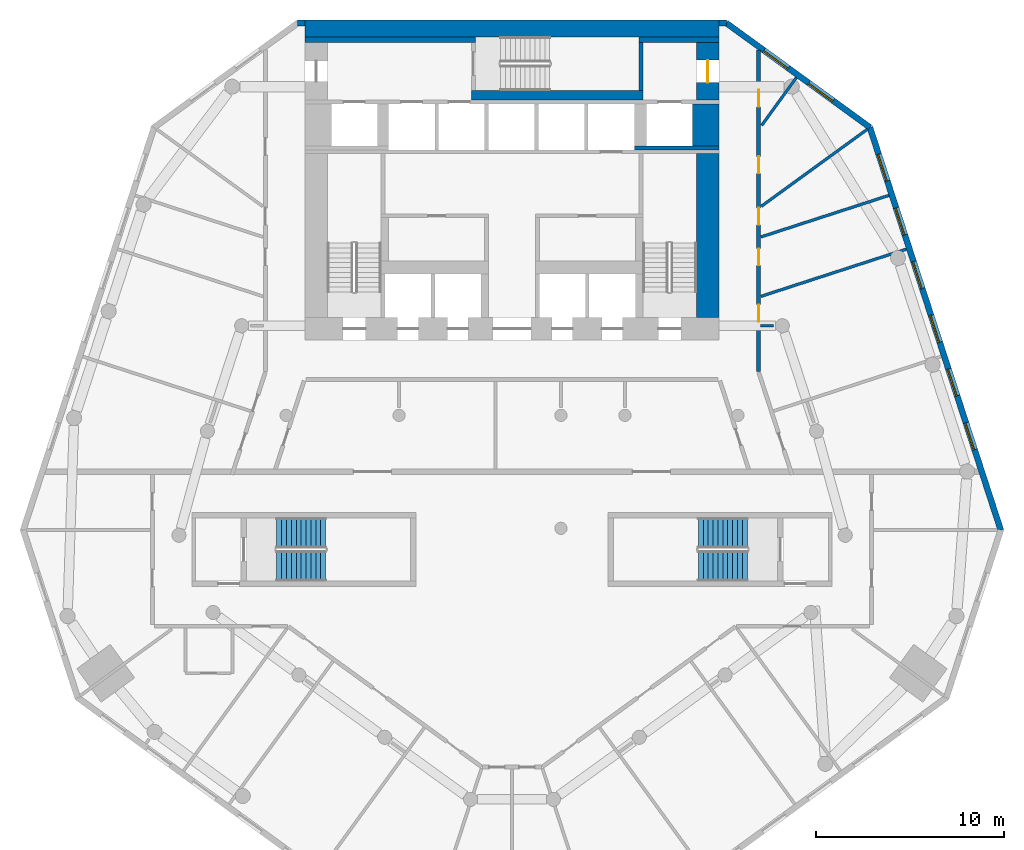
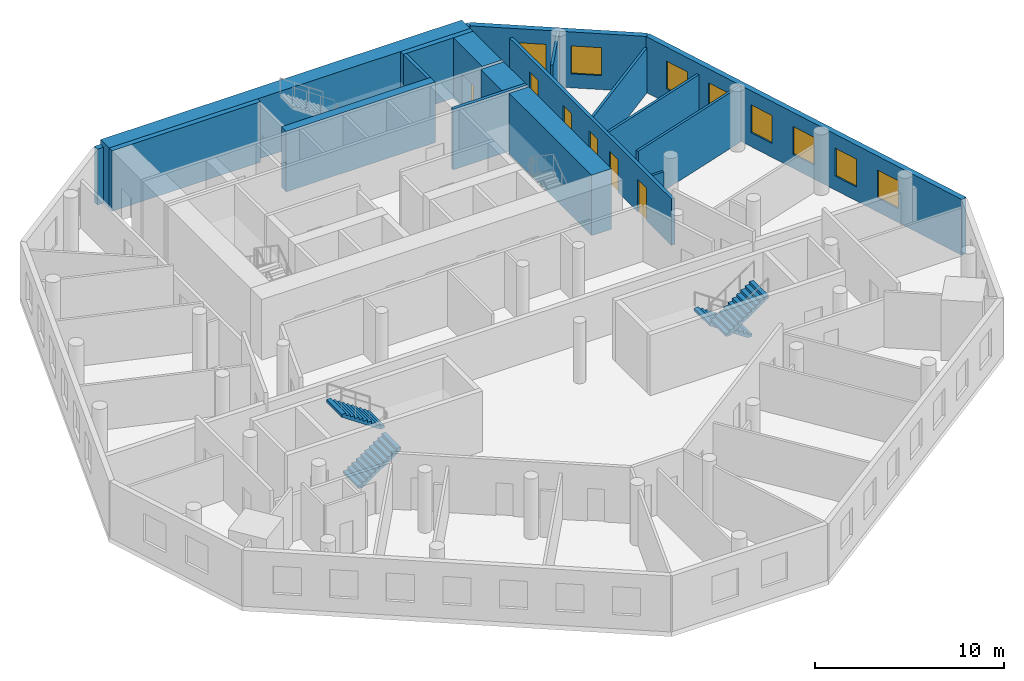
# One storey, part 6 of 9: 19 walls, 8 windows, 6 doors, 4 stair flights, 14 openings, 2 elements without a shape of their own.
"""IFC4 building model written with IfcOpenShell, lengths in metres."""

from ifc_helpers import new_model, si_unit, direction, frame, frame_2d, origin, place, context, subcontext, project, spatial, polyline, rectangle, outline, extrude, material, layer, layer_set, type_object, element, fill, aggregate, save


model = new_model("IFC4")

# Units and contexts
model_context = context("Model", 3, precision=1e-05, world=origin(), true_north=direction((0.0, 1.0)))
body_context = subcontext(model_context, "Body", "Model", "MODEL_VIEW")
ifc_project = project(units=[si_unit("LENGTHUNIT", "METRE"), si_unit("AREAUNIT", "SQUARE_METRE"), si_unit("VOLUMEUNIT", "CUBIC_METRE"), si_unit("PLANEANGLEUNIT", "RADIAN"), si_unit("MASSUNIT", "GRAM", prefix="KILO")], contexts=[model_context])

# Site, building, storey
site_placement = place(None, origin())
site = spatial("IfcSite", under=ifc_project, at=site_placement, CompositionType="ELEMENT")
building_placement = place(site_placement, origin())
building = spatial("IfcBuilding", under=site, at=building_placement, Name="White Candle Pilgrim Tower", CompositionType="ELEMENT")
storey_placement = place(building_placement, frame((0.0, 0.0, 70.199951171875)))
storey = spatial("IfcBuildingStorey", under=building, at=storey_placement, Name="L14", CompositionType="ELEMENT", Elevation=70.199951171875)

# Wall, opening, door
ifc_material_1 = material(Name="Concrete C70/85", Category="concrete")
ifc_layer_1 = layer(ifc_material_1, 1.199951171875)
ifc_layer_set_1 = layer_set([ifc_layer_1], Name="Core wall 1200 mm Concrete C70/85")
wall_type_1 = type_object("IfcWallType", Name="Core wall 1200 mm Concrete C70/85", PredefinedType="SHEAR", material=ifc_layer_set_1)
wall_1_placement = place(storey_placement, frame((80.39990234375, 83.75, 0.0), z_axis=(0.0, 0.0, 1.0), x_axis=(0.0, 1.0, 0.0)))
wall_1 = element("IfcWall", 1, at=wall_1_placement, inside=storey, type_object=wall_type_1, Name="WL-L14-C44", PredefinedType="SHEAR", context=body_context, shape_type="SweptSolid", body=[
    extrude(rectangle(XDim=3.050048828125, YDim=1.199951171875, at=frame_2d((1.52490234375, 0.0))), origin(), (0.0, 0.0, 1.0), 3.900146484375),
])
opening_1_placement = place(wall_1_placement, frame((0.925048828125, 0.0, 0.0)))
opening_1 = element("IfcOpeningElement", 2, at=opening_1_placement, cuts=wall_1, Name="Opening T04-006", PredefinedType="OPENING", context=body_context, shape_type="SweptSolid", body=[
    extrude(rectangle(XDim=1.199951171875, YDim=2.10009765625, at=frame_2d((0.60009765625, 1.050048828125))), frame((0.0, 0.60986328125, 0.0), z_axis=(0.0, -1.0, 0.0), x_axis=(1.0, 0.0, 0.0)), (0.0, 0.0, 1.0), 1.219970703125),
])
ifc_material_2 = material(Name="Steel door leaf", Category="steel")
door_type_1 = type_object("IfcDoorType", Name="Fire door 1200 x 2100 EI 30", OperationType="NOTDEFINED", PredefinedType="DOOR", material=ifc_material_2)
door_1_placement = place(opening_1_placement, origin())
door_1 = element("IfcDoor", 3, at=door_1_placement, inside=storey, type_object=door_type_1, Name="Door T04-006", OperationType="SINGLE_SWING_RIGHT", OverallHeight=2.10009765625, OverallWidth=1.199951171875, PredefinedType="DOOR", context=body_context, shape_type="SweptSolid", body=[
    extrude(rectangle(XDim=1.199951171875, YDim=2.10009765625, at=frame_2d((0.60009765625, 1.050048828125))), frame((0.0, 0.02490234375, 0.0), z_axis=(0.0, -1.0, 0.0), x_axis=(1.0, 0.0, 0.0)), (0.0, 0.0, 1.0), 0.050048828125),
])
fill(opening_1, door_1)

# Walls
ifc_layer_2 = layer(ifc_material_1, 1.39990234375)
ifc_layer_set_2 = layer_set([ifc_layer_2], Name="Core wall 1400 mm Concrete C70/85")
wall_type_2 = type_object("IfcWallType", Name="Core wall 1400 mm Concrete C70/85", PredefinedType="SHEAR", material=ifc_layer_set_2)
wall_2_placement = place(storey_placement, frame((80.300048828125, 81.300048828125, 0.0), z_axis=(0.0, 0.0, 1.0), x_axis=(0.0, 1.0, 0.0)))
element("IfcWall", 4, at=wall_2_placement, inside=storey, type_object=wall_type_2, Name="WL-L14-C40", PredefinedType="SHEAR", context=body_context, shape_type="SweptSolid", body=[
    extrude(rectangle(XDim=2.25, YDim=1.39990234375, at=frame_2d((1.125, 0.0))), origin(), (0.0, 0.0, 1.0), 3.900146484375),
])
ifc_layer_3 = layer(ifc_material_1, 0.199951171875)
ifc_layer_set_3 = layer_set([ifc_layer_3], Name="Core wall 200 mm Concrete C70/85")
wall_type_3 = type_object("IfcWallType", Name="Core wall 200 mm Concrete C70/85", PredefinedType="SHEAR", material=ifc_layer_set_3)
wall_3_placement = place(storey_placement, frame((76.5, 81.199951171875, 0.0), z_axis=(0.0, 0.0, 1.0), x_axis=(1.0, 0.0, 0.0)))
element("IfcWall", 5, at=wall_3_placement, inside=storey, type_object=wall_type_3, Name="WL-L14-C36", PredefinedType="SHEAR", context=body_context, shape_type="SweptSolid", body=[
    extrude(rectangle(XDim=4.5, YDim=0.199951171875, at=frame_2d((2.25, 0.0))), origin(), (0.0, 0.0, 1.0), 3.900146484375),
])

# Wall, openings, doors
ifc_material_3 = material(Name="Gypsum board on steel studs", Category="steel")
ifc_layer_4 = layer(ifc_material_3, 0.199951171875)
ifc_layer_set_4 = layer_set([ifc_layer_4], Name="Corridor wall 200 mm EI 45")
wall_type_4 = type_object("IfcWallType", Name="Corridor wall 200 mm EI 45", PredefinedType="PARTITIONING", material=ifc_layer_set_4)
wall_4_placement = place(storey_placement, frame((83.10009765625, 86.396240234375, 0.0), z_axis=(0.0, 0.0, 1.0), x_axis=(0.0, -1.0, 0.0)))
wall_4 = element("IfcWall", 6, at=wall_4_placement, inside=storey, type_object=wall_type_4, Name="WL-L14-P004", PredefinedType="PARTITIONING", context=body_context, shape_type="SweptSolid", body=[
    extrude(rectangle(XDim=17.0771484375, YDim=0.199951171875, at=frame_2d((8.53857421875, 0.0))), origin(), (0.0, 0.0, 1.0), 3.0),
])
opening_2_placement = place(wall_4_placement, frame((2.111572265625, 0.0, 0.0)))
opening_2 = element("IfcOpeningElement", 7, at=opening_2_placement, cuts=wall_4, Name="Opening T04-122", PredefinedType="OPENING", context=body_context, shape_type="SweptSolid", body=[
    extrude(rectangle(XDim=0.89990234375, YDim=2.10009765625, at=frame_2d((0.449951171875, 1.050048828125))), frame((0.0, 0.10986328125, 0.0), z_axis=(0.0, -1.0, 0.0), x_axis=(1.0, 0.0, 0.0)), (0.0, 0.0, 1.0), 0.219970703125),
])
opening_3_placement = place(wall_4_placement, frame((5.641357421875, 0.0, 0.0)))
opening_3 = element("IfcOpeningElement", 8, at=opening_3_placement, cuts=wall_4, Name="Opening T04-123", PredefinedType="OPENING", context=body_context, shape_type="SweptSolid", body=[
    extrude(rectangle(XDim=0.89990234375, YDim=2.10009765625, at=frame_2d((0.449951171875, 1.050048828125))), frame((0.0, 0.10986328125, 0.0), z_axis=(0.0, -1.0, 0.0), x_axis=(1.0, 0.0, 0.0)), (0.0, 0.0, 1.0), 0.219970703125),
])
opening_4_placement = place(wall_4_placement, frame((8.3798828125, 0.0, 0.0)))
opening_4 = element("IfcOpeningElement", 9, at=opening_4_placement, cuts=wall_4, Name="Opening T04-124", PredefinedType="OPENING", context=body_context, shape_type="SweptSolid", body=[
    extrude(rectangle(XDim=0.89990234375, YDim=2.10009765625, at=frame_2d((0.449951171875, 1.050048828125))), frame((0.0, 0.10986328125, 0.0), z_axis=(0.0, -1.0, 0.0), x_axis=(1.0, 0.0, 0.0)), (0.0, 0.0, 1.0), 0.219970703125),
])
opening_5_placement = place(wall_4_placement, frame((10.534423828125, 0.0, 0.0)))
opening_5 = element("IfcOpeningElement", 10, at=opening_5_placement, cuts=wall_4, Name="Opening T04-125", PredefinedType="OPENING", context=body_context, shape_type="SweptSolid", body=[
    extrude(rectangle(XDim=0.89990234375, YDim=2.10009765625, at=frame_2d((0.449951171875, 1.050048828125))), frame((0.0, 0.10986328125, 0.0), z_axis=(0.0, -1.0, 0.0), x_axis=(1.0, 0.0, 0.0)), (0.0, 0.0, 1.0), 0.219970703125),
])
opening_6_placement = place(wall_4_placement, frame((13.515380859375, 0.0, 0.0)))
opening_6 = element("IfcOpeningElement", 11, at=opening_6_placement, cuts=wall_4, Name="Opening T04-126", PredefinedType="OPENING", context=body_context, shape_type="SweptSolid", body=[
    extrude(rectangle(XDim=0.89990234375, YDim=2.10009765625, at=frame_2d((0.449951171875, 1.050048828125))), frame((0.0, 0.10986328125, 0.0), z_axis=(0.0, -1.0, 0.0), x_axis=(1.0, 0.0, 0.0)), (0.0, 0.0, 1.0), 0.219970703125),
])
door_type_2 = type_object("IfcDoorType", Name="Fire door 900 x 2100 EI 30", OperationType="NOTDEFINED", PredefinedType="DOOR", material=ifc_material_2)
door_2_placement = place(opening_2_placement, origin())
door_2 = element("IfcDoor", 12, at=door_2_placement, inside=storey, type_object=door_type_2, Name="Door T04-122", OperationType="SINGLE_SWING_RIGHT", OverallHeight=2.10009765625, OverallWidth=0.89990234375, PredefinedType="DOOR", context=body_context, shape_type="SweptSolid", body=[
    extrude(rectangle(XDim=0.89990234375, YDim=2.10009765625, at=frame_2d((0.449951171875, 1.050048828125))), frame((0.0, 0.02490234375, 0.0), z_axis=(0.0, -1.0, 0.0), x_axis=(1.0, 0.0, 0.0)), (0.0, 0.0, 1.0), 0.050048828125),
])
fill(opening_2, door_2)
door_3_placement = place(opening_3_placement, origin())
door_3 = element("IfcDoor", 13, at=door_3_placement, inside=storey, type_object=door_type_2, Name="Door T04-123", OperationType="SINGLE_SWING_LEFT", OverallHeight=2.10009765625, OverallWidth=0.89990234375, PredefinedType="DOOR", context=body_context, shape_type="SweptSolid", body=[
    extrude(rectangle(XDim=0.89990234375, YDim=2.10009765625, at=frame_2d((0.449951171875, 1.050048828125))), frame((0.0, 0.02490234375, 0.0), z_axis=(0.0, -1.0, 0.0), x_axis=(1.0, 0.0, 0.0)), (0.0, 0.0, 1.0), 0.050048828125),
])
fill(opening_3, door_3)
door_4_placement = place(opening_4_placement, origin())
door_4 = element("IfcDoor", 14, at=door_4_placement, inside=storey, type_object=door_type_2, Name="Door T04-124", OperationType="SINGLE_SWING_RIGHT", OverallHeight=2.10009765625, OverallWidth=0.89990234375, PredefinedType="DOOR", context=body_context, shape_type="SweptSolid", body=[
    extrude(rectangle(XDim=0.89990234375, YDim=2.10009765625, at=frame_2d((0.449951171875, 1.050048828125))), frame((0.0, 0.02490234375, 0.0), z_axis=(0.0, -1.0, 0.0), x_axis=(1.0, 0.0, 0.0)), (0.0, 0.0, 1.0), 0.050048828125),
])
fill(opening_4, door_4)
door_5_placement = place(opening_5_placement, origin())
door_5 = element("IfcDoor", 15, at=door_5_placement, inside=storey, type_object=door_type_2, Name="Door T04-125", OperationType="SINGLE_SWING_LEFT", OverallHeight=2.10009765625, OverallWidth=0.89990234375, PredefinedType="DOOR", context=body_context, shape_type="SweptSolid", body=[
    extrude(rectangle(XDim=0.89990234375, YDim=2.10009765625, at=frame_2d((0.449951171875, 1.050048828125))), frame((0.0, 0.02490234375, 0.0), z_axis=(0.0, -1.0, 0.0), x_axis=(1.0, 0.0, 0.0)), (0.0, 0.0, 1.0), 0.050048828125),
])
fill(opening_5, door_5)
door_6_placement = place(opening_6_placement, origin())
door_6 = element("IfcDoor", 16, at=door_6_placement, inside=storey, type_object=door_type_2, Name="Door T04-126", OperationType="SINGLE_SWING_LEFT", OverallHeight=2.10009765625, OverallWidth=0.89990234375, PredefinedType="DOOR", context=body_context, shape_type="SweptSolid", body=[
    extrude(rectangle(XDim=0.89990234375, YDim=2.10009765625, at=frame_2d((0.449951171875, 1.050048828125))), frame((0.0, 0.02490234375, 0.0), z_axis=(0.0, -1.0, 0.0), x_axis=(1.0, 0.0, 0.0)), (0.0, 0.0, 1.0), 0.050048828125),
])
fill(opening_6, door_6)

# Wall, openings, windows
ifc_material_4 = material(Name="Precast concrete C40/50", Category="concrete")
ifc_layer_5 = layer(ifc_material_4, 0.320068359375)
ifc_layer_set_5 = layer_set([ifc_layer_5], Name="Facade wall EW1 precast concrete C40/50 pier wall with timber-lined reveals")
wall_type_5 = type_object("IfcWallType", Name="Facade wall EW1 precast concrete C40/50 pier wall with timber-lined reveals", PredefinedType="SOLIDWALL", material=ifc_layer_set_5)
wall_5_placement = place(storey_placement, frame((95.96533203125, 60.903564453125, 0.0), z_axis=(0.0, 0.0, 1.0), x_axis=(-0.309016374519, 0.951056717698, 0.0)))
wall_5 = element("IfcWall", 17, at=wall_5_placement, inside=storey, type_object=wall_type_5, Name="Facade wall L14 ENE", PredefinedType="SOLIDWALL", context=body_context, shape_type="SweptSolid", body=[
    extrude(rectangle(XDim=22.49462890625, YDim=0.320068359375, at=frame_2d((11.247314453125, 0.0))), origin(), (0.0, 0.0, 1.0), 3.60009765625),
])
opening_7_placement = place(wall_5_placement, frame((4.497314453125, 0.0, 0.89990234375)))
opening_7 = element("IfcOpeningElement", 18, at=opening_7_placement, cuts=wall_5, Name="Opening W1", PredefinedType="OPENING", context=body_context, shape_type="SweptSolid", body=[
    extrude(rectangle(XDim=1.5, YDim=1.800048828125, at=frame_2d((0.75, 0.89990234375))), frame((0.0, 0.169921875, 0.0), z_axis=(0.0, -1.0, 0.0), x_axis=(1.0, 0.0, 0.0)), (0.0, 0.0, 1.0), 0.340087890625),
])
opening_8_placement = place(wall_5_placement, frame((7.497314453125, 0.0, 0.89990234375)))
opening_8 = element("IfcOpeningElement", 19, at=opening_8_placement, cuts=wall_5, Name="Opening W1", PredefinedType="OPENING", context=body_context, shape_type="SweptSolid", body=[
    extrude(rectangle(XDim=1.5, YDim=1.800048828125, at=frame_2d((0.75, 0.89990234375))), frame((0.0, 0.169921875, 0.0), z_axis=(0.0, -1.0, 0.0), x_axis=(1.0, 0.0, 0.0)), (0.0, 0.0, 1.0), 0.340087890625),
])
opening_9_placement = place(wall_5_placement, frame((10.497314453125, 0.0, 0.89990234375)))
opening_9 = element("IfcOpeningElement", 20, at=opening_9_placement, cuts=wall_5, Name="Opening W1", PredefinedType="OPENING", context=body_context, shape_type="SweptSolid", body=[
    extrude(rectangle(XDim=1.5, YDim=1.800048828125, at=frame_2d((0.75, 0.89990234375))), frame((0.0, 0.169921875, 0.0), z_axis=(0.0, -1.0, 0.0), x_axis=(1.0, 0.0, 0.0)), (0.0, 0.0, 1.0), 0.340087890625),
])
opening_10_placement = place(wall_5_placement, frame((13.497314453125, 0.0, 0.89990234375)))
opening_10 = element("IfcOpeningElement", 21, at=opening_10_placement, cuts=wall_5, Name="Opening W1", PredefinedType="OPENING", context=body_context, shape_type="SweptSolid", body=[
    extrude(rectangle(XDim=1.5, YDim=1.800048828125, at=frame_2d((0.75, 0.89990234375))), frame((0.0, 0.169921875, 0.0), z_axis=(0.0, -1.0, 0.0), x_axis=(1.0, 0.0, 0.0)), (0.0, 0.0, 1.0), 0.340087890625),
])
opening_11_placement = place(wall_5_placement, frame((16.497314453125, 0.0, 0.89990234375)))
opening_11 = element("IfcOpeningElement", 22, at=opening_11_placement, cuts=wall_5, Name="Opening W1", PredefinedType="OPENING", context=body_context, shape_type="SweptSolid", body=[
    extrude(rectangle(XDim=1.5, YDim=1.800048828125, at=frame_2d((0.75, 0.89990234375))), frame((0.0, 0.169921875, 0.0), z_axis=(0.0, -1.0, 0.0), x_axis=(1.0, 0.0, 0.0)), (0.0, 0.0, 1.0), 0.340087890625),
])
opening_12_placement = place(wall_5_placement, frame((19.497314453125, 0.0, 0.89990234375)))
opening_12 = element("IfcOpeningElement", 23, at=opening_12_placement, cuts=wall_5, Name="Opening W1", PredefinedType="OPENING", context=body_context, shape_type="SweptSolid", body=[
    extrude(rectangle(XDim=1.5, YDim=1.800048828125, at=frame_2d((0.75, 0.89990234375))), frame((0.0, 0.169921875, 0.0), z_axis=(0.0, -1.0, 0.0), x_axis=(1.0, 0.0, 0.0)), (0.0, 0.0, 1.0), 0.340087890625),
])
ifc_material_5 = material(Name="Timber frame with triple glazing", Category="wood")
window_type_1 = type_object("IfcWindowType", Name="Window W1 1500x1800 timber frame triple glazing", PartitioningType="SINGLE_PANEL", PredefinedType="WINDOW", material=ifc_material_5)
window_1_placement = place(opening_7_placement, origin())
window_1 = element("IfcWindow", 24, at=window_1_placement, inside=storey, type_object=window_type_1, Name="Window W1 L14 ENE 2", OverallHeight=1.800048828125, OverallWidth=1.5, PartitioningType="SINGLE_PANEL", PredefinedType="WINDOW", context=body_context, shape_type="SweptSolid", body=[
    extrude(rectangle(XDim=1.5, YDim=1.800048828125, at=frame_2d((0.75, 0.89990234375))), frame((0.0, 0.070068359375, 0.0), z_axis=(0.0, -1.0, 0.0), x_axis=(1.0, 0.0, 0.0)), (0.0, 0.0, 1.0), 0.06005859375),
])
fill(opening_7, window_1)
window_2_placement = place(opening_8_placement, origin())
window_2 = element("IfcWindow", 25, at=window_2_placement, inside=storey, type_object=window_type_1, Name="Window W1 L14 ENE 3", OverallHeight=1.800048828125, OverallWidth=1.5, PartitioningType="SINGLE_PANEL", PredefinedType="WINDOW", context=body_context, shape_type="SweptSolid", body=[
    extrude(rectangle(XDim=1.5, YDim=1.800048828125, at=frame_2d((0.75, 0.89990234375))), frame((0.0, 0.070068359375, 0.0), z_axis=(0.0, -1.0, 0.0), x_axis=(1.0, 0.0, 0.0)), (0.0, 0.0, 1.0), 0.06005859375),
])
fill(opening_8, window_2)
window_3_placement = place(opening_9_placement, origin())
window_3 = element("IfcWindow", 26, at=window_3_placement, inside=storey, type_object=window_type_1, Name="Window W1 L14 ENE 4", OverallHeight=1.800048828125, OverallWidth=1.5, PartitioningType="SINGLE_PANEL", PredefinedType="WINDOW", context=body_context, shape_type="SweptSolid", body=[
    extrude(rectangle(XDim=1.5, YDim=1.800048828125, at=frame_2d((0.75, 0.89990234375))), frame((0.0, 0.070068359375, 0.0), z_axis=(0.0, -1.0, 0.0), x_axis=(1.0, 0.0, 0.0)), (0.0, 0.0, 1.0), 0.06005859375),
])
fill(opening_9, window_3)
window_4_placement = place(opening_10_placement, origin())
window_4 = element("IfcWindow", 27, at=window_4_placement, inside=storey, type_object=window_type_1, Name="Window W1 L14 ENE 5", OverallHeight=1.800048828125, OverallWidth=1.5, PartitioningType="SINGLE_PANEL", PredefinedType="WINDOW", context=body_context, shape_type="SweptSolid", body=[
    extrude(rectangle(XDim=1.5, YDim=1.800048828125, at=frame_2d((0.75, 0.89990234375))), frame((0.0, 0.070068359375, 0.0), z_axis=(0.0, -1.0, 0.0), x_axis=(1.0, 0.0, 0.0)), (0.0, 0.0, 1.0), 0.06005859375),
])
fill(opening_10, window_4)
window_5_placement = place(opening_11_placement, origin())
window_5 = element("IfcWindow", 28, at=window_5_placement, inside=storey, type_object=window_type_1, Name="Window W1 L14 ENE 6", OverallHeight=1.800048828125, OverallWidth=1.5, PartitioningType="SINGLE_PANEL", PredefinedType="WINDOW", context=body_context, shape_type="SweptSolid", body=[
    extrude(rectangle(XDim=1.5, YDim=1.800048828125, at=frame_2d((0.75, 0.89990234375))), frame((0.0, 0.070068359375, 0.0), z_axis=(0.0, -1.0, 0.0), x_axis=(1.0, 0.0, 0.0)), (0.0, 0.0, 1.0), 0.06005859375),
])
fill(opening_11, window_5)
window_6_placement = place(opening_12_placement, origin())
window_6 = element("IfcWindow", 29, at=window_6_placement, inside=storey, type_object=window_type_1, Name="Window W1 L14 ENE 7", OverallHeight=1.800048828125, OverallWidth=1.5, PartitioningType="SINGLE_PANEL", PredefinedType="WINDOW", context=body_context, shape_type="SweptSolid", body=[
    extrude(rectangle(XDim=1.5, YDim=1.800048828125, at=frame_2d((0.75, 0.89990234375))), frame((0.0, 0.070068359375, 0.0), z_axis=(0.0, -1.0, 0.0), x_axis=(1.0, 0.0, 0.0)), (0.0, 0.0, 1.0), 0.06005859375),
])
fill(opening_12, window_6)

wall_6_placement = place(storey_placement, frame((89.01416015625, 82.297119140625, 0.0), z_axis=(0.0, 0.0, 1.0), x_axis=(-0.809013639072, 0.587789870443, 0.0)))
wall_6 = element("IfcWall", 30, at=wall_6_placement, inside=storey, type_object=wall_type_5, Name="Facade wall L14 NE chamfer", PredefinedType="SOLIDWALL", context=body_context, shape_type="SweptSolid", body=[
    extrude(rectangle(XDim=9.43017578125, YDim=0.320068359375, at=frame_2d((4.715087890625, 0.0))), origin(), (0.0, 0.0, 1.0), 3.60009765625),
])
opening_13_placement = place(wall_6_placement, frame((2.4150390625, 0.0, 0.89990234375)))
opening_13 = element("IfcOpeningElement", 31, at=opening_13_placement, cuts=wall_6, Name="Opening W2", PredefinedType="OPENING", context=body_context, shape_type="SweptSolid", body=[
    extrude(rectangle(XDim=1.60009765625, YDim=1.800048828125, at=frame_2d((0.800048828125, 0.89990234375))), frame((0.0, 0.169921875, 0.0), z_axis=(0.0, -1.0, 0.0), x_axis=(1.0, 0.0, 0.0)), (0.0, 0.0, 1.0), 0.340087890625),
])
opening_14_placement = place(wall_6_placement, frame((5.364990234375, 0.0, 0.89990234375)))
opening_14 = element("IfcOpeningElement", 32, at=opening_14_placement, cuts=wall_6, Name="Opening W2", PredefinedType="OPENING", context=body_context, shape_type="SweptSolid", body=[
    extrude(rectangle(XDim=1.60009765625, YDim=1.800048828125, at=frame_2d((0.800048828125, 0.89990234375))), frame((0.0, 0.169921875, 0.0), z_axis=(0.0, -1.0, 0.0), x_axis=(1.0, 0.0, 0.0)), (0.0, 0.0, 1.0), 0.340087890625),
])
window_type_2 = type_object("IfcWindowType", Name="Window W2 1600x1800 timber frame triple glazing", PartitioningType="SINGLE_PANEL", PredefinedType="WINDOW", material=ifc_material_5)
window_7_placement = place(opening_13_placement, origin())
window_7 = element("IfcWindow", 33, at=window_7_placement, inside=storey, type_object=window_type_2, Name="Window W2 L14 NE chamfer 1", OverallHeight=1.800048828125, OverallWidth=1.60009765625, PartitioningType="SINGLE_PANEL", PredefinedType="WINDOW", context=body_context, shape_type="SweptSolid", body=[
    extrude(rectangle(XDim=1.60009765625, YDim=1.800048828125, at=frame_2d((0.800048828125, 0.89990234375))), frame((0.0, 0.070068359375, 0.0), z_axis=(0.0, -1.0, 0.0), x_axis=(1.0, 0.0, 0.0)), (0.0, 0.0, 1.0), 0.06005859375),
])
fill(opening_13, window_7)
window_8_placement = place(opening_14_placement, origin())
window_8 = element("IfcWindow", 34, at=window_8_placement, inside=storey, type_object=window_type_2, Name="Window W2 L14 NE chamfer 2", OverallHeight=1.800048828125, OverallWidth=1.60009765625, PartitioningType="SINGLE_PANEL", PredefinedType="WINDOW", context=body_context, shape_type="SweptSolid", body=[
    extrude(rectangle(XDim=1.60009765625, YDim=1.800048828125, at=frame_2d((0.800048828125, 0.89990234375))), frame((0.0, 0.070068359375, 0.0), z_axis=(0.0, -1.0, 0.0), x_axis=(1.0, 0.0, 0.0)), (0.0, 0.0, 1.0), 0.06005859375),
])
fill(opening_14, window_8)

# Walls
for number, where, z_axis, x_axis, name in (
    (35, (81.385009765625, 87.840087890625, 0.0), (0.0, 0.0, 1.0), (-1.0, 0.0, 0.0), "Facade wall L14 N"),
    (36, (59.0, 87.840087890625, 0.0), (0.0, 0.0, 1.0), (-1.0, 0.0, 0.0), "Facade wall L14 N"),
):
    element("IfcWall", number, at=place(storey_placement, frame(where, z_axis=z_axis, x_axis=x_axis)), inside=storey, type_object=wall_type_5, Name=name, PredefinedType="SOLIDWALL", context=body_context, shape_type="SweptSolid", body=[
        extrude(rectangle(XDim=0.385009765625, YDim=0.320068359375, at=frame_2d((0.1923828125, 0.0))), origin(), (0.0, 0.0, 1.0), 3.60009765625),
    ])
ifc_layer_6 = layer(ifc_material_3, 0.14990234375)
ifc_layer_set_6 = layer_set([ifc_layer_6], Name="Partition 150 mm EI 60")
wall_type_6 = type_object("IfcWallType", Name="Partition 150 mm EI 60", PredefinedType="PARTITIONING", material=ifc_layer_set_6)
wall_7_placement = place(storey_placement, frame((88.8779296875, 82.1982421875, 0.0), z_axis=(0.0, 0.0, 1.0), x_axis=(-0.809011915856, -0.58779224221, 0.0)))
element("IfcWall", 37, at=wall_7_placement, inside=storey, type_object=wall_type_6, Name="WL-L14-P023", PredefinedType="PARTITIONING", context=body_context, shape_type="SweptSolid", body=[
    extrude(rectangle(XDim=6.9638671875, YDim=0.14990234375, at=frame_2d((3.48193359375, 0.0))), origin(), (0.0, 0.0, 1.0), 2.900146484375),
])
wall_8_placement = place(storey_placement, frame((90.947021484375, 75.830810546875, 0.0), z_axis=(0.0, 0.0, 1.0), x_axis=(-0.951051961222, -0.309031013097, 0.0)))
element("IfcWall", 38, at=wall_8_placement, inside=storey, type_object=wall_type_6, Name="WL-L14-P038", PredefinedType="PARTITIONING", context=body_context, shape_type="SweptSolid", body=[
    extrude(rectangle(XDim=8.121337890625, YDim=0.14990234375, at=frame_2d((4.060546875, 0.0))), origin(), (0.0, 0.0, 1.0), 3.60009765625),
])
wall_9_placement = place(storey_placement, frame((90.02001953125, 78.683837890625, 0.0), z_axis=(0.0, 0.0, 1.0), x_axis=(-0.951064189929, -0.308993376362, 0.0)))
element("IfcWall", 39, at=wall_9_placement, inside=storey, type_object=wall_type_6, Name="WL-L14-P039", PredefinedType="PARTITIONING", context=body_context, shape_type="SweptSolid", body=[
    extrude(rectangle(XDim=7.146484375, YDim=0.14990234375, at=frame_2d((3.5732421875, 0.0))), origin(), (0.0, 0.0, 1.0), 2.900146484375),
])
wall_10_placement = place(storey_placement, frame((85.10546875, 84.939208984375, 0.0), z_axis=(0.0, 0.0, 1.0), x_axis=(-0.587746109375, -0.809045431923, 0.0)))
element("IfcWall", 40, at=wall_10_placement, inside=storey, type_object=wall_type_6, Name="WL-L14-P040", PredefinedType="PARTITIONING", context=body_context, shape_type="SweptSolid", body=[
    extrude(rectangle(XDim=3.138671875, YDim=0.14990234375, at=frame_2d((1.5693359375, 0.0))), origin(), (0.0, 0.0, 1.0), 3.60009765625),
])
wall_11_placement = place(storey_placement, frame((83.89501953125, 71.7578125, 0.0), z_axis=(0.0, 0.0, 1.0), x_axis=(-1.0, 0.0, 0.0)))
element("IfcWall", 41, at=wall_11_placement, inside=storey, type_object=wall_type_6, Name="WL-L14-P048", PredefinedType="PARTITIONING", context=body_context, shape_type="SweptSolid", body=[
    extrude(rectangle(XDim=0.695068359375, YDim=0.14990234375, at=frame_2d((0.34765625, 0.0))), origin(), (0.0, 0.0, 1.0), 3.0),
])
ifc_layer_7 = layer(ifc_material_1, 1.199951171875)
ifc_layer_set_7 = layer_set([ifc_layer_7], Name="Stair shaft wall 1200 mm Concrete C70/85")
wall_type_7 = type_object("IfcWallType", Name="Stair shaft wall 1200 mm Concrete C70/85", PredefinedType="SHEAR", material=ifc_layer_set_7)
wall_12_placement = place(storey_placement, frame((80.39990234375, 72.199951171875, 0.0), z_axis=(0.0, 0.0, 1.0), x_axis=(0.0, 1.0, 0.0)))
element("IfcWall", 42, at=wall_12_placement, inside=storey, type_object=wall_type_7, Name="WL-L14-C19", PredefinedType="SHEAR", context=body_context, shape_type="SweptSolid", body=[
    extrude(rectangle(XDim=8.699951171875, YDim=1.199951171875, at=frame_2d((4.35009765625, 0.0))), origin(), (0.0, 0.0, 1.0), 3.900146484375),
])
ifc_layer_8 = layer(ifc_material_1, 0.199951171875)
ifc_layer_set_8 = layer_set([ifc_layer_8], Name="Stair shaft wall 200 mm Concrete C70/85")
wall_type_8 = type_object("IfcWallType", Name="Stair shaft wall 200 mm Concrete C70/85", PredefinedType="SHEAR", material=ifc_layer_set_8)
wall_13_placement = place(storey_placement, frame((76.85009765625, 84.25, 0.0), z_axis=(0.0, 0.0, 1.0), x_axis=(0.0, 1.0, 0.0)))
element("IfcWall", 43, at=wall_13_placement, inside=storey, type_object=wall_type_8, Name="WL-L14-C46", PredefinedType="SHEAR", context=body_context, shape_type="SweptSolid", body=[
    extrude(rectangle(XDim=2.550048828125, YDim=0.199951171875, at=frame_2d((1.27490234375, 0.0))), origin(), (0.0, 0.0, 1.0), 3.900146484375),
])
ifc_layer_9 = layer(ifc_material_1, 0.300048828125)
ifc_layer_set_9 = layer_set([ifc_layer_9], Name="Stair shaft wall 300 mm Concrete C70/85")
wall_type_9 = type_object("IfcWallType", Name="Stair shaft wall 300 mm Concrete C70/85", PredefinedType="SHEAR", material=ifc_layer_set_9)
wall_14_placement = place(storey_placement, frame((59.0, 86.949951171875, 0.0), z_axis=(0.0, 0.0, 1.0), x_axis=(1.0, 0.0, 0.0)))
element("IfcWall", 44, at=wall_14_placement, inside=storey, type_object=wall_type_9, Name="WL-L14-C47", PredefinedType="SHEAR", context=body_context, shape_type="SweptSolid", body=[
    extrude(rectangle(XDim=9.050048828125, YDim=0.300048828125, at=frame_2d((4.52490234375, 0.0))), origin(), (0.0, 0.0, 1.0), 3.900146484375),
])
wall_15_placement = place(storey_placement, frame((76.75, 86.949951171875, 0.0), z_axis=(0.0, 0.0, 1.0), x_axis=(1.0, 0.0, 0.0)))
element("IfcWall", 45, at=wall_15_placement, inside=storey, type_object=wall_type_9, Name="WL-L14-C48", PredefinedType="SHEAR", context=body_context, shape_type="SweptSolid", body=[
    extrude(rectangle(XDim=4.25, YDim=0.300048828125, at=frame_2d((2.125, 0.0))), origin(), (0.0, 0.0, 1.0), 3.900146484375),
])
ifc_layer_10 = layer(ifc_material_1, 0.5)
ifc_layer_set_10 = layer_set([ifc_layer_10], Name="Stair shaft wall 500 mm Concrete C70/85")
wall_type_10 = type_object("IfcWallType", Name="Stair shaft wall 500 mm Concrete C70/85", PredefinedType="SHEAR", material=ifc_layer_set_10)
wall_16_placement = place(storey_placement, frame((67.85009765625, 84.0, 0.0), z_axis=(0.0, 0.0, 1.0), x_axis=(1.0, 0.0, 0.0)))
element("IfcWall", 46, at=wall_16_placement, inside=storey, type_object=wall_type_10, Name="WL-L14-C43", PredefinedType="SHEAR", context=body_context, shape_type="SweptSolid", body=[
    extrude(rectangle(XDim=9.099853515625, YDim=0.5, at=frame_2d((4.5498046875, 0.0))), origin(), (0.0, 0.0, 1.0), 3.900146484375),
])
ifc_layer_11 = layer(ifc_material_1, 0.89990234375)
ifc_layer_set_11 = layer_set([ifc_layer_11], Name="Stair shaft wall 900 mm Concrete C70/85")
wall_type_11 = type_object("IfcWallType", Name="Stair shaft wall 900 mm Concrete C70/85", PredefinedType="SHEAR", material=ifc_layer_set_11)
wall_17_placement = place(storey_placement, frame((59.0, 87.550048828125, 0.0), z_axis=(0.0, 0.0, 1.0), x_axis=(1.0, 0.0, 0.0)))
element("IfcWall", 47, at=wall_17_placement, inside=storey, type_object=wall_type_11, Name="WL-L14-C49", PredefinedType="SHEAR", context=body_context, shape_type="SweptSolid", body=[
    extrude(rectangle(XDim=22.0, YDim=0.89990234375, at=frame_2d((11.0, 0.0))), origin(), (0.0, 0.0, 1.0), 3.900146484375),
])

# Stair, stair flights
ifc_material_6 = material(Name="Concrete C40/50", Category="concrete")
stair_type_1 = type_object("IfcStairType", Name="Exit stair 4 flight width 1600 mm", PredefinedType="HALF_TURN_STAIR", material=ifc_material_6)
stair_1_placement = place(storey_placement, origin())
stair_1 = element("IfcStair", 48, at=stair_1_placement, inside=storey, type_object=stair_type_1, Name="L14 stair 4", PredefinedType="NOTDEFINED")
ifc_layer_12 = layer(ifc_material_6, 0.14990234375)
ifc_layer_set_12 = layer_set([ifc_layer_12], Name="Stair flight Concrete C40/50")
stair_flight_type = type_object("IfcStairFlightType", Name="Stair flight Concrete C40/50", PredefinedType="STRAIGHT", material=ifc_layer_set_12)
stair_flight_1_placement = place(storey_placement, frame((82.5, 60.75, 0.0), z_axis=(0.0, 0.0, 1.0), x_axis=(-1.0, 0.0, 0.0)))
stair_flight_1 = element("IfcStairFlight", 49, at=stair_flight_1_placement, type_object=stair_flight_type, Name="ST4 flight 1", NumberOfRisers=11, NumberOfTreads=10, PredefinedType="NOTDEFINED", RiserHeight=0.177272727, TreadLength=0.26, context=body_context, shape_type="SweptSolid", body=[
    extrude(outline(polyline([(0.0, 0.0), (0.0, 0.17724609375), (0.260009765625, 0.17724609375), (0.260009765625, 0.3544921875), (0.52001953125, 0.3544921875), (0.52001953125, 0.53173828125), (0.780029296875, 0.53173828125), (0.780029296875, 0.708984375), (1.0400390625, 0.708984375), (1.0400390625, 0.886474609375), (1.300048828125, 0.886474609375), (1.300048828125, 1.063720703125), (1.56005859375, 1.063720703125), (1.56005859375, 1.240966796875), (1.820068359375, 1.240966796875), (1.820068359375, 1.418212890625), (2.080078125, 1.418212890625), (2.080078125, 1.595458984375), (2.340087890625, 1.595458984375), (2.340087890625, 1.772705078125), (2.60009765625, 1.772705078125), (2.60009765625, 1.949951171875), (2.60009765625, 1.59130859375), (0.26611328125, 0.0), (0.0, 0.0)])), frame((0.0, 0.800048828125, 0.0), z_axis=(0.0, -1.0, 0.0), x_axis=(1.0, 0.0, 0.0)), (0.0, 0.0, 1.0), 1.60009765625),
])
stair_flight_2_placement = place(storey_placement, frame((79.89990234375, 59.0, 1.949951171875), z_axis=(0.0, 0.0, 1.0), x_axis=(1.0, 0.0, 0.0)))
stair_flight_2 = element("IfcStairFlight", 50, at=stair_flight_2_placement, type_object=stair_flight_type, Name="ST4 flight 2", NumberOfRisers=11, NumberOfTreads=10, PredefinedType="NOTDEFINED", RiserHeight=0.177272727, TreadLength=0.26, context=body_context, shape_type="SweptSolid", body=[
    extrude(outline(polyline([(0.0, 0.0), (0.0, 0.17724609375), (0.260009765625, 0.17724609375), (0.260009765625, 0.3544921875), (0.52001953125, 0.3544921875), (0.52001953125, 0.53173828125), (0.780029296875, 0.53173828125), (0.780029296875, 0.708984375), (1.0400390625, 0.708984375), (1.0400390625, 0.886474609375), (1.300048828125, 0.886474609375), (1.300048828125, 1.063720703125), (1.56005859375, 1.063720703125), (1.56005859375, 1.240966796875), (1.820068359375, 1.240966796875), (1.820068359375, 1.418212890625), (2.080078125, 1.418212890625), (2.080078125, 1.595458984375), (2.340087890625, 1.595458984375), (2.340087890625, 1.772705078125), (2.60009765625, 1.772705078125), (2.60009765625, 1.949951171875), (2.60009765625, 1.59130859375), (0.26611328125, 0.0), (0.0, 0.0)])), frame((0.0, 0.800048828125, 0.0), z_axis=(0.0, -1.0, 0.0), x_axis=(1.0, 0.0, 0.0)), (0.0, 0.0, 1.0), 1.60009765625),
])
aggregate(stair_1, [stair_flight_1, stair_flight_2])

stair_type_2 = type_object("IfcStairType", Name="Exit stair 5 flight width 1600 mm", PredefinedType="HALF_TURN_STAIR", material=ifc_material_6)
stair_2_placement = place(storey_placement, origin())
stair_2 = element("IfcStair", 51, at=stair_2_placement, inside=storey, type_object=stair_type_2, Name="L14 stair 5", PredefinedType="NOTDEFINED")
stair_flight_3_placement = place(storey_placement, frame((57.5, 59.0, 0.0), z_axis=(0.0, 0.0, 1.0), x_axis=(1.0, 0.0, 0.0)))
stair_flight_3 = element("IfcStairFlight", 52, at=stair_flight_3_placement, type_object=stair_flight_type, Name="ST5 flight 1", NumberOfRisers=11, NumberOfTreads=10, PredefinedType="NOTDEFINED", RiserHeight=0.177272727, TreadLength=0.26, context=body_context, shape_type="SweptSolid", body=[
    extrude(outline(polyline([(0.0, 0.0), (0.0, 0.17724609375), (0.260009765625, 0.17724609375), (0.260009765625, 0.3544921875), (0.52001953125, 0.3544921875), (0.52001953125, 0.53173828125), (0.780029296875, 0.53173828125), (0.780029296875, 0.708984375), (1.0400390625, 0.708984375), (1.0400390625, 0.886474609375), (1.300048828125, 0.886474609375), (1.300048828125, 1.063720703125), (1.56005859375, 1.063720703125), (1.56005859375, 1.240966796875), (1.820068359375, 1.240966796875), (1.820068359375, 1.418212890625), (2.080078125, 1.418212890625), (2.080078125, 1.595458984375), (2.340087890625, 1.595458984375), (2.340087890625, 1.772705078125), (2.60009765625, 1.772705078125), (2.60009765625, 1.949951171875), (2.60009765625, 1.59130859375), (0.26611328125, 0.0), (0.0, 0.0)])), frame((0.0, 0.800048828125, 0.0), z_axis=(0.0, -1.0, 0.0), x_axis=(1.0, 0.0, 0.0)), (0.0, 0.0, 1.0), 1.60009765625),
])
stair_flight_4_placement = place(storey_placement, frame((60.10009765625, 60.75, 1.949951171875), z_axis=(0.0, 0.0, 1.0), x_axis=(-1.0, 0.0, 0.0)))
stair_flight_4 = element("IfcStairFlight", 53, at=stair_flight_4_placement, type_object=stair_flight_type, Name="ST5 flight 2", NumberOfRisers=11, NumberOfTreads=10, PredefinedType="NOTDEFINED", RiserHeight=0.177272727, TreadLength=0.26, context=body_context, shape_type="SweptSolid", body=[
    extrude(outline(polyline([(0.0, 0.0), (0.0, 0.17724609375), (0.260009765625, 0.17724609375), (0.260009765625, 0.3544921875), (0.52001953125, 0.3544921875), (0.52001953125, 0.53173828125), (0.780029296875, 0.53173828125), (0.780029296875, 0.708984375), (1.0400390625, 0.708984375), (1.0400390625, 0.886474609375), (1.300048828125, 0.886474609375), (1.300048828125, 1.063720703125), (1.56005859375, 1.063720703125), (1.56005859375, 1.240966796875), (1.820068359375, 1.240966796875), (1.820068359375, 1.418212890625), (2.080078125, 1.418212890625), (2.080078125, 1.595458984375), (2.340087890625, 1.595458984375), (2.340087890625, 1.772705078125), (2.60009765625, 1.772705078125), (2.60009765625, 1.949951171875), (2.60009765625, 1.59130859375), (0.26611328125, 0.0), (0.0, 0.0)])), frame((0.0, 0.800048828125, 0.0), z_axis=(0.0, -1.0, 0.0), x_axis=(1.0, 0.0, 0.0)), (0.0, 0.0, 1.0), 1.60009765625),
])
aggregate(stair_2, [stair_flight_3, stair_flight_4])

save(model, "model.ifc")
